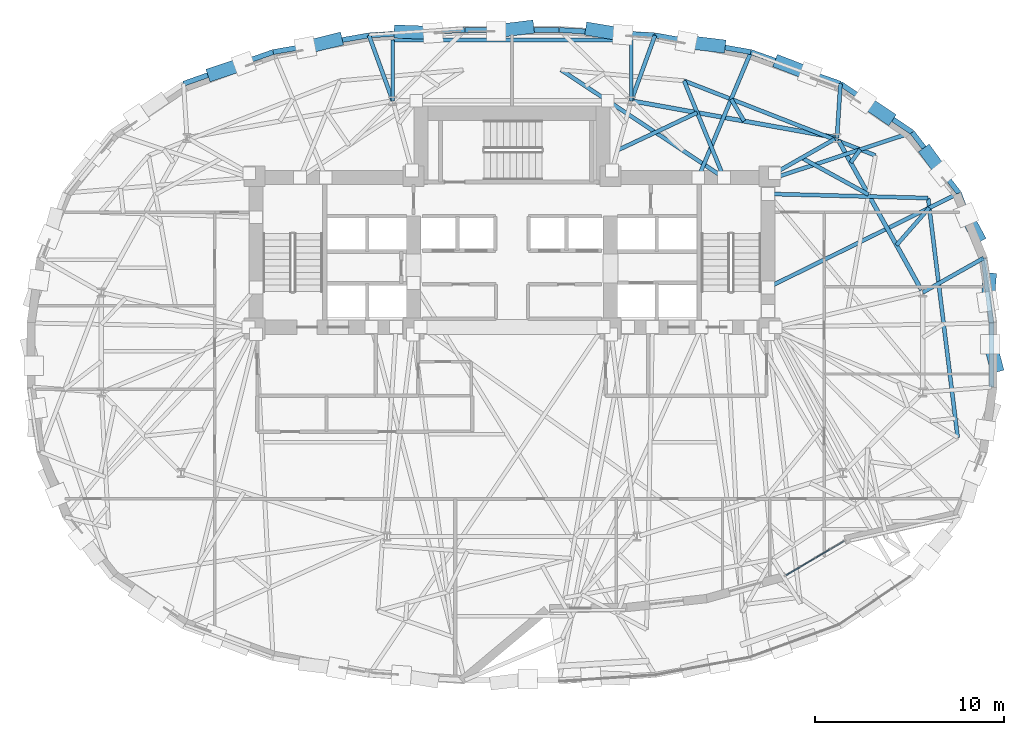
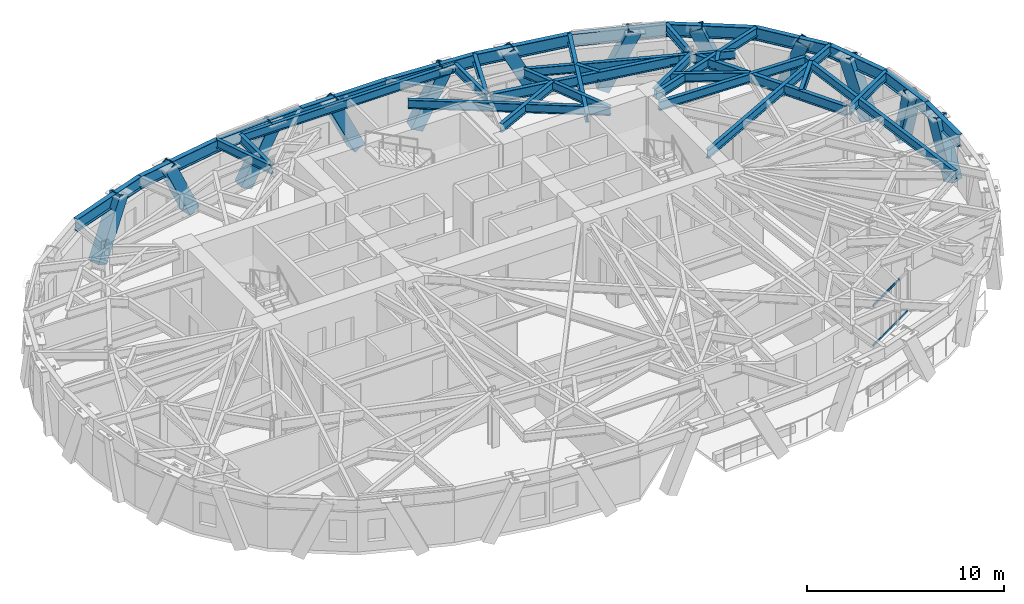
# One storey, part 5 of 14: 35 beams, 19 members, 1 element without a shape of its own.
"""IFC4 building model written with IfcOpenShell, lengths in metres."""

from ifc_helpers import new_model, si_unit, direction, frame, origin, origin_2d, place, context, subcontext, project, spatial, rectangle, hollow_rectangle, i_section, extrude, material, layer, layer_set, material_profile, profile_set, type_object, element, aggregate, save


model = new_model("IFC4")

# Units and contexts
model_context = context("Model", 3, precision=1e-05, world=origin(), true_north=direction((0.0, 1.0)))
body_context = subcontext(model_context, "Body", "Model", "MODEL_VIEW")
ifc_project = project(units=[si_unit("LENGTHUNIT", "METRE"), si_unit("AREAUNIT", "SQUARE_METRE"), si_unit("VOLUMEUNIT", "CUBIC_METRE"), si_unit("PLANEANGLEUNIT", "RADIAN"), si_unit("MASSUNIT", "GRAM", prefix="KILO")], contexts=[model_context])

# Site, building, storey
site_placement = place(None, origin())
site = spatial("IfcSite", under=ifc_project, at=site_placement, CompositionType="ELEMENT")
building_placement = place(site_placement, origin())
building = spatial("IfcBuilding", under=site, at=building_placement, Name="Keldmark Tower", CompositionType="ELEMENT")
storey_placement = place(building_placement, frame((0.0, 0.0, 128.10009765625)))
storey = spatial("IfcBuildingStorey", under=building, at=storey_placement, Name="L34", CompositionType="ELEMENT", Elevation=128.10009765625)

# Curtain wall, members
ifc_material_1 = material(Name="Unitized Thermally Broken Aluminum and Triple Low-E Glazing", Category="aluminium")
ifc_layer = layer(ifc_material_1, 0.219970703125)
ifc_layer_set = layer_set([ifc_layer], Name="Unitized Thermally Broken Aluminum and Triple Low-E Glazing")
curtain_wall_type = type_object("IfcCurtainWallType", Name="Spiralling Sky-Garden Feature Curtain Wall System", PredefinedType="NOTDEFINED", material=ifc_layer_set)
curtain_wall_placement = place(storey_placement, origin())
curtain_wall = element("IfcCurtainWall", 1, at=curtain_wall_placement, inside=storey, type_object=curtain_wall_type, Name="L34 Spiralling Sky-Garden Feature Curtain Wall System CW-L34-28", PredefinedType="NOTDEFINED")
ifc_material_2 = material(Name="Extruded Aluminum Alloy 6063-T6", Category="aluminium")
ifc_material_profile_1 = material_profile(ifc_material_2, rectangle(XDim=0.06005859375, YDim=0.139892578125, at=origin_2d()), Name="CWT60X140")
ifc_profile_set_1 = profile_set([ifc_material_profile_1], Name="Extruded Aluminum Alloy 6063-T6")
member_type_1 = type_object("IfcMemberType", Name="Curtain Wall Horizontal Transom 60x140", PredefinedType="USERDEFINED", material=ifc_profile_set_1)
member_1_placement = place(storey_placement, frame((17.542724609375, -9.830810546875, 0.02978515625), z_axis=(-0.862124032813, -0.506697298243, 0.0), x_axis=(0.506697298243, -0.862124032813, 0.0)))
member_1 = element("IfcMember", 2, at=member_1_placement, type_object=member_type_1, Name="CW transom 1.1", ObjectType="TRANSOM", PredefinedType="USERDEFINED", context=body_context, shape_type="SweptSolid", body=[
    extrude(rectangle(XDim=0.06005859375, YDim=0.139892578125, at=origin_2d()), origin(), (0.0, 0.0, 1.0), 0.826416015625),
])
member_2_placement = place(storey_placement, frame((16.77880859375, -10.27978515625, 0.02978515625), z_axis=(-0.862161334119, -0.506633826299, 0.0), x_axis=(0.506633826299, -0.862161334119, 0.0)))
member_2 = element("IfcMember", 3, at=member_2_placement, type_object=member_type_1, Name="CW transom 2.1", ObjectType="TRANSOM", PredefinedType="USERDEFINED", context=body_context, shape_type="SweptSolid", body=[
    extrude(rectangle(XDim=0.06005859375, YDim=0.139892578125, at=origin_2d()), origin(), (0.0, 0.0, 1.0), 0.856201171875),
])
member_3_placement = place(storey_placement, frame((16.77880859375, -10.27978515625, 2.497802734375), z_axis=(-0.862161334119, -0.506633826299, 0.0), x_axis=(0.506633826299, -0.862161334119, 0.0)))
member_3 = element("IfcMember", 4, at=member_3_placement, type_object=member_type_1, Name="CW transom 2.2", ObjectType="TRANSOM", PredefinedType="USERDEFINED", context=body_context, shape_type="SweptSolid", body=[
    extrude(rectangle(XDim=0.06005859375, YDim=0.139892578125, at=origin_2d()), origin(), (0.0, 0.0, 1.0), 0.856201171875),
])
member_4_placement = place(storey_placement, frame((15.98876953125, -10.744140625, 0.02978515625), z_axis=(-0.862285860494, -0.506421854576, 0.0), x_axis=(0.506421854576, -0.862285860494, 0.0)))
member_4 = element("IfcMember", 5, at=member_4_placement, type_object=member_type_1, Name="CW transom 3.1", ObjectType="TRANSOM", PredefinedType="USERDEFINED", context=body_context, shape_type="SweptSolid", body=[
    extrude(rectangle(XDim=0.06005859375, YDim=0.139892578125, at=origin_2d()), origin(), (0.0, 0.0, 1.0), 0.856201171875),
])
member_5_placement = place(storey_placement, frame((15.98876953125, -10.744140625, 2.497802734375), z_axis=(-0.862285860494, -0.506421854576, 0.0), x_axis=(0.506421854576, -0.862285860494, 0.0)))
member_5 = element("IfcMember", 6, at=member_5_placement, type_object=member_type_1, Name="CW transom 3.2", ObjectType="TRANSOM", PredefinedType="USERDEFINED", context=body_context, shape_type="SweptSolid", body=[
    extrude(rectangle(XDim=0.06005859375, YDim=0.139892578125, at=origin_2d()), origin(), (0.0, 0.0, 1.0), 0.856201171875),
])
member_6_placement = place(storey_placement, frame((15.198974609375, -11.208251953125, 0.02978515625), z_axis=(-0.862253087469, -0.50647765316, 0.0), x_axis=(0.50647765316, -0.862253087469, 0.0)))
member_6 = element("IfcMember", 7, at=member_6_placement, type_object=member_type_1, Name="CW transom 4.1", ObjectType="TRANSOM", PredefinedType="USERDEFINED", context=body_context, shape_type="SweptSolid", body=[
    extrude(rectangle(XDim=0.06005859375, YDim=0.139892578125, at=origin_2d()), origin(), (0.0, 0.0, 1.0), 0.826171875),
])
member_7_placement = place(storey_placement, frame((15.198974609375, -11.208251953125, 2.497802734375), z_axis=(-0.862253087469, -0.50647765316, 0.0), x_axis=(0.50647765316, -0.862253087469, 0.0)))
member_7 = element("IfcMember", 8, at=member_7_placement, type_object=member_type_1, Name="CW transom 4.2", ObjectType="TRANSOM", PredefinedType="USERDEFINED", context=body_context, shape_type="SweptSolid", body=[
    extrude(rectangle(XDim=0.06005859375, YDim=0.139892578125, at=origin_2d()), origin(), (0.0, 0.0, 1.0), 0.826171875),
])
aggregate(curtain_wall, [member_1, member_2, member_3, member_4, member_5, member_6, member_7])

# Members
ifc_material_3 = material(Name="Steel ASTM A572 Grade 50", Category="steel")
ifc_material_profile_2 = material_profile(ifc_material_3, hollow_rectangle(XDim=0.699951171875, YDim=0.699951171875, WallThickness=0.044921875, at=origin_2d()), Name="BOX700X700X45")
ifc_profile_set_2 = profile_set([ifc_material_profile_2], Name="Steel ASTM A572 Grade 50")
member_type_2 = type_object("IfcMemberType", Name="Diagrid Zone 2 Brace BOX700X700X45", PredefinedType="BRACE", material=ifc_profile_set_2)
member_8_placement = place(storey_placement, frame((25.22314453125, 4.007568359375, -0.27001953125), z_axis=(-0.025774881276, -0.322186015947, 0.946325433782), x_axis=(0.996815278536, -0.079745222283, 0.0)))
element("IfcMember", 9, at=member_8_placement, inside=storey, type_object=member_type_2, Name="L34 Perimeter Diagrid Brace 01A", PredefinedType="BRACE", context=body_context, shape_type="SweptSolid", body=[
    extrude(hollow_rectangle(XDim=0.699951171875, YDim=0.699951171875, WallThickness=0.044921875, at=origin_2d()), origin(), (0.0, 0.0, 1.0), 3.65625),
])
member_9_placement = place(storey_placement, frame((24.581298828125, 6.2880859375, -0.27001953125), z_axis=(-0.161957146853, 0.300569119384, 0.939908552496), x_axis=(-0.880333841681, -0.474354642848, 0.0)))
element("IfcMember", 10, at=member_9_placement, inside=storey, type_object=member_type_2, Name="L34 Perimeter Diagrid Brace 01B", PredefinedType="BRACE", context=body_context, shape_type="SweptSolid", body=[
    extrude(hollow_rectangle(XDim=0.699951171875, YDim=0.699951171875, WallThickness=0.044921875, at=origin_2d()), origin(), (0.0, 0.0, 1.0), 3.68115234375),
])
member_10_placement = place(storey_placement, frame((21.943359375, 10.6787109375, -0.27001953125), z_axis=(0.212939819898, -0.291509085954, 0.932565861432), x_axis=(0.80750465938, 0.589861191366, 0.0)))
element("IfcMember", 11, at=member_10_placement, inside=storey, type_object=member_type_2, Name="L34 Perimeter Diagrid Brace 02A", PredefinedType="BRACE", context=body_context, shape_type="SweptSolid", body=[
    extrude(hollow_rectangle(XDim=0.699951171875, YDim=0.699951171875, WallThickness=0.044921875, at=origin_2d()), origin(), (0.0, 0.0, 1.0), 3.710205078125),
])
member_11_placement = place(storey_placement, frame((19.8369140625, 12.5859375, -0.27001953125), z_axis=(-0.335578451771, 0.225676508816, 0.91458034971), x_axis=(-0.55804685071, -0.829809443434, 0.0)))
element("IfcMember", 12, at=member_11_placement, inside=storey, type_object=member_type_2, Name="L34 Perimeter Diagrid Brace 02B", PredefinedType="BRACE", context=body_context, shape_type="SweptSolid", body=[
    extrude(hollow_rectangle(XDim=0.699951171875, YDim=0.699951171875, WallThickness=0.044921875, at=origin_2d()), origin(), (0.0, 0.0, 1.0), 3.783203125),
])
member_12_placement = place(storey_placement, frame((14.190185546875, 15.443115234375, -0.27001953125), z_axis=(0.402741306948, -0.15573767037, 0.901967414991), x_axis=(0.360667417786, 0.93269449111, 0.0)))
element("IfcMember", 13, at=member_12_placement, inside=storey, type_object=member_type_2, Name="L34 Perimeter Diagrid Brace 03A", PredefinedType="BRACE", context=body_context, shape_type="SweptSolid", body=[
    extrude(hollow_rectangle(XDim=0.699951171875, YDim=0.699951171875, WallThickness=0.044921875, at=origin_2d()), origin(), (0.0, 0.0, 1.0), 3.8359375),
])
member_13_placement = place(storey_placement, frame((10.9541015625, 16.332275390625, -0.27001953125), z_axis=(-0.448318018377, 0.054206124677, 0.892229034747), x_axis=(-0.120035753301, -0.992769569401, 0.0)))
element("IfcMember", 14, at=member_13_placement, inside=storey, type_object=member_type_2, Name="L34 Perimeter Diagrid Brace 03B", PredefinedType="BRACE", context=body_context, shape_type="SweptSolid", body=[
    extrude(hollow_rectangle(XDim=0.699951171875, YDim=0.699951171875, WallThickness=0.044921875, at=origin_2d()), origin(), (0.0, 0.0, 1.0), 3.8779296875),
])
member_14_placement = place(storey_placement, frame((4.204345703125, 17.201171875, -0.27001953125), z_axis=(0.428752099282, -0.07149045675, 0.900589113833), x_axis=(0.164470109087, 0.986382067567, 0.0)))
element("IfcMember", 15, at=member_14_placement, inside=storey, type_object=member_type_2, Name="L34 Perimeter Diagrid Brace 04A", PredefinedType="BRACE", context=body_context, shape_type="SweptSolid", body=[
    extrude(hollow_rectangle(XDim=0.699951171875, YDim=0.699951171875, WallThickness=0.044921875, at=origin_2d()), origin(), (0.0, 0.0, 1.0), 3.841796875),
])
member_15_placement = place(storey_placement, frame((0.83544921875, 17.3154296875, -0.27001953125), z_axis=(-0.434682488412, -0.05246386718, 0.899054323669), x_axis=(0.11982508471, -0.992795018659, 0.0)))
element("IfcMember", 16, at=member_15_placement, inside=storey, type_object=member_type_2, Name="L34 Perimeter Diagrid Brace 04B", PredefinedType="BRACE", context=body_context, shape_type="SweptSolid", body=[
    extrude(hollow_rectangle(XDim=0.699951171875, YDim=0.699951171875, WallThickness=0.044921875, at=origin_2d()), origin(), (0.0, 0.0, 1.0), 3.848388671875),
])
member_16_placement = place(storey_placement, frame((-5.91357421875, 17.082275390625, -0.27001953125), z_axis=(0.448766776321, -0.016392155359, 0.893498560554), x_axis=(0.036502770928, 0.999333551781, 0.0)))
element("IfcMember", 17, at=member_16_placement, inside=storey, type_object=member_type_2, Name="L34 Perimeter Diagrid Brace 05A", PredefinedType="BRACE", context=body_context, shape_type="SweptSolid", body=[
    extrude(hollow_rectangle(XDim=0.699951171875, YDim=0.699951171875, WallThickness=0.044921875, at=origin_2d()), origin(), (0.0, 0.0, 1.0), 3.872314453125),
])
member_17_placement = place(storey_placement, frame((-9.282470703125, 16.64794921875, -0.27001953125), z_axis=(-0.424162495439, -0.104977520194, 0.899480904587), x_axis=(0.240245110564, -0.970712257495, 0.0)))
element("IfcMember", 18, at=member_17_placement, inside=storey, type_object=member_type_2, Name="L34 Perimeter Diagrid Brace 05B", PredefinedType="BRACE", context=body_context, shape_type="SweptSolid", body=[
    extrude(hollow_rectangle(XDim=0.699951171875, YDim=0.699951171875, WallThickness=0.044921875, at=origin_2d()), origin(), (0.0, 0.0, 1.0), 3.8466796875),
])
member_18_placement = place(storey_placement, frame((-15.763427734375, 14.86083984375, -0.27001953125), z_axis=(0.414660177655, 0.139341048222, 0.899244688251), x_axis=(-0.318533150805, 0.947911721543, 0.0)))
element("IfcMember", 19, at=member_18_placement, inside=storey, type_object=member_type_2, Name="L34 Perimeter Diagrid Brace 06A", PredefinedType="BRACE", context=body_context, shape_type="SweptSolid", body=[
    extrude(hollow_rectangle(XDim=0.699951171875, YDim=0.699951171875, WallThickness=0.044921875, at=origin_2d()), origin(), (0.0, 0.0, 1.0), 3.84765625),
])
member_19_placement = place(storey_placement, frame((25.56689453125, -0.564453125, -0.27001953125), z_axis=(-0.081730206424, 0.31041439807, 0.947081345413), x_axis=(-0.967042168317, -0.254616269505, 0.0)))
element("IfcMember", 20, at=member_19_placement, inside=storey, type_object=member_type_2, Name="L34 Perimeter Diagrid Brace 16B", PredefinedType="BRACE", context=body_context, shape_type="SweptSolid", body=[
    extrude(hollow_rectangle(XDim=0.699951171875, YDim=0.699951171875, WallThickness=0.044921875, at=origin_2d()), origin(), (0.0, 0.0, 1.0), 3.6533203125),
])

# Beams
ifc_material_4 = material(Name="Steel ASTM A992 Grade 50", Category="steel")
ifc_material_profile_3 = material_profile(ifc_material_4, i_section(OverallWidth=0.22900390625, OverallDepth=0.612060546875, WebThickness=0.011962890625, FlangeThickness=0.01953125, at=origin_2d()), Name="W24X84")
ifc_profile_set_3 = profile_set([ifc_material_profile_3], Name="Steel ASTM A992 Grade 50")
beam_type_1 = type_object("IfcBeamType", Name="Primary Floor Girder W24X84", PredefinedType="BEAM", material=ifc_profile_set_3)
beam_1_placement = place(storey_placement, frame((21.62890625, 3.432373046875, 3.00390625), z_axis=(-0.484951836703, 0.874540860154, 0.0), x_axis=(-0.874540860154, -0.484951836703, 0.0)))
element("IfcBeam", 21, at=beam_1_placement, inside=storey, type_object=beam_type_1, Name="L34 Floor Ring Girder FG-R01", PredefinedType="BEAM", context=body_context, shape_type="SweptSolid", body=[
    extrude(i_section(OverallWidth=0.22900390625, OverallDepth=0.612060546875, WebThickness=0.011962890625, FlangeThickness=0.01953125, at=origin_2d()), origin(), (0.0, 0.0, 1.0), 9.060302734375),
])
beam_2_placement = place(storey_placement, frame((17.029296875, 11.503173828125, 3.00390625), z_axis=(-0.984218266992, 0.176958760505, 0.0), x_axis=(-0.176958760505, -0.984218266992, 0.0)))
element("IfcBeam", 22, at=beam_2_placement, inside=storey, type_object=beam_type_1, Name="L34 Floor Ring Girder FG-R02", PredefinedType="BEAM", context=body_context, shape_type="SweptSolid", body=[
    extrude(i_section(OverallWidth=0.22900390625, OverallDepth=0.612060546875, WebThickness=0.011962890625, FlangeThickness=0.01953125, at=origin_2d()), origin(), (0.0, 0.0, 1.0), 10.7626953125),
])
ifc_material_5 = material(Name="Steel ASTM A992 Grade 50", Category="steel")
ifc_material_profile_4 = material_profile(ifc_material_5, i_section(OverallWidth=0.2099609375, OverallDepth=0.537109375, WebThickness=0.010986328125, FlangeThickness=0.017333984375, at=origin_2d()), Name="W21X68")
ifc_profile_set_4 = profile_set([ifc_material_profile_4], Name="Steel ASTM A992 Grade 50")
beam_type_2 = type_object("IfcBeamType", Name="Radial Tie Girder W21X68", PredefinedType="BEAM", material=ifc_profile_set_4)
beam_3_placement = place(storey_placement, frame((17.04541015625, 11.4091796875, 3.04150390625), z_axis=(-0.86928447329, -0.494312152892, 0.0), x_axis=(0.494312152892, -0.86928447329, 0.0)))
element("IfcBeam", 23, at=beam_3_placement, inside=storey, type_object=beam_type_2, Name="L34 Floor Radial Girder FG-C02", PredefinedType="BEAM", context=body_context, shape_type="SweptSolid", body=[
    extrude(i_section(OverallWidth=0.2099609375, OverallDepth=0.537109375, WebThickness=0.010986328125, FlangeThickness=0.017333984375, at=origin_2d()), origin(), (0.0, 0.0, 1.0), 3.6435546875),
])
beam_4_placement = place(storey_placement, frame((15.303466796875, 10.418701171875, 3.04150390625), z_axis=(0.876409320531, -0.481566924618, 0.0), x_axis=(0.481566924618, 0.876409320531, 0.0)))
element("IfcBeam", 24, at=beam_4_placement, inside=storey, type_object=beam_type_2, Name="L34 Framing Pin Header PH-001", PredefinedType="BEAM", context=body_context, shape_type="SweptSolid", body=[
    extrude(i_section(OverallWidth=0.2099609375, OverallDepth=0.537109375, WebThickness=0.010986328125, FlangeThickness=0.017333984375, at=origin_2d()), origin(), (0.0, 0.0, 1.0), 4.022705078125),
])
beam_5_placement = place(storey_placement, frame((5.578125, 10.8203125, 3.04150390625), z_axis=(0.904220488167, 0.427065930249, 0.0), x_axis=(-0.427065930249, 0.904220488167, 0.0)))
element("IfcBeam", 25, at=beam_5_placement, inside=storey, type_object=beam_type_2, Name="L34 Framing Pin Header PH-002", PredefinedType="BEAM", context=body_context, shape_type="SweptSolid", body=[
    extrude(i_section(OverallWidth=0.2099609375, OverallDepth=0.537109375, WebThickness=0.010986328125, FlangeThickness=0.017333984375, at=origin_2d()), origin(), (0.0, 0.0, 1.0), 4.64990234375),
])
beam_6_placement = place(storey_placement, frame((11.19287109375, 9.375, 3.04150390625), z_axis=(-0.380156934952, 0.92492199931, 0.0), x_axis=(-0.92492199931, -0.380156934952, 0.0)))
element("IfcBeam", 26, at=beam_6_placement, inside=storey, type_object=beam_type_2, Name="L34 Sub-Ring Step Girder STP1-M02", PredefinedType="BEAM", context=body_context, shape_type="SweptSolid", body=[
    extrude(i_section(OverallWidth=0.2099609375, OverallDepth=0.537109375, WebThickness=0.010986328125, FlangeThickness=0.017333984375, at=origin_2d()), origin(), (0.0, 0.0, 1.0), 5.53076171875),
])
beam_7_placement = place(storey_placement, frame((11.19287109375, 9.375, 3.04150390625), z_axis=(-0.834094767098, 0.551621173904, 0.0), x_axis=(-0.551621173904, -0.834094767098, 0.0)))
element("IfcBeam", 27, at=beam_7_placement, inside=storey, type_object=beam_type_2, Name="L34 Sub-Ring Step Girder STP1-M03", PredefinedType="BEAM", context=body_context, shape_type="SweptSolid", body=[
    extrude(i_section(OverallWidth=0.2099609375, OverallDepth=0.537109375, WebThickness=0.010986328125, FlangeThickness=0.017333984375, at=origin_2d()), origin(), (0.0, 0.0, 1.0), 10.314453125),
])
beam_8_placement = place(storey_placement, frame((19.1982421875, 10.544189453125, 3.04150390625), z_axis=(-0.931523340879, 0.363681543934, 0.0), x_axis=(-0.363681543934, -0.931523340879, 0.0)))
element("IfcBeam", 28, at=beam_8_placement, inside=storey, type_object=beam_type_2, Name="L34 Perimeter Collector Ring Beam CRG1-M01", PredefinedType="BEAM", context=body_context, shape_type="SweptSolid", body=[
    extrude(i_section(OverallWidth=0.2099609375, OverallDepth=0.537109375, WebThickness=0.010986328125, FlangeThickness=0.017333984375, at=origin_2d()), origin(), (0.0, 0.0, 1.0), 10.850830078125),
])
beam_9_placement = place(storey_placement, frame((13.52490234375, 8.514404296875, 3.04150390625), z_axis=(0.999660340588, -0.026061532106, 0.0), x_axis=(0.026061532106, 0.999660340588, 0.0)))
element("IfcBeam", 29, at=beam_9_placement, inside=storey, type_object=beam_type_2, Name="L34 Sub-Ring Step Girder STP2-M01", PredefinedType="BEAM", context=body_context, shape_type="SweptSolid", body=[
    extrude(i_section(OverallWidth=0.2099609375, OverallDepth=0.537109375, WebThickness=0.010986328125, FlangeThickness=0.017333984375, at=origin_2d()), origin(), (0.0, 0.0, 1.0), 8.459228515625),
])
beam_10_placement = place(storey_placement, frame((23.542724609375, -4.351806640625, 3.04150390625), z_axis=(-0.122551269909, 0.992462183785, 0.0), x_axis=(-0.992462183785, -0.122551269909, 0.0)))
element("IfcBeam", 30, at=beam_10_placement, inside=storey, type_object=beam_type_2, Name="L34 Perimeter Collector Ring Beam CRG2-M12", PredefinedType="BEAM", context=body_context, shape_type="SweptSolid", body=[
    extrude(i_section(OverallWidth=0.2099609375, OverallDepth=0.537109375, WebThickness=0.010986328125, FlangeThickness=0.017333984375, at=origin_2d()), origin(), (0.0, 0.0, 1.0), 12.74169921875),
])
beam_11_placement = place(storey_placement, frame((21.697021484375, 3.309814453125, 3.04150390625), z_axis=(0.870805571728, 0.49162755847, 0.0), x_axis=(-0.49162755847, 0.870805571728, 0.0)))
element("IfcBeam", 31, at=beam_11_placement, inside=storey, type_object=beam_type_2, Name="L34 Perimeter Column Bracket RT-02", PredefinedType="BEAM", context=body_context, shape_type="SweptSolid", body=[
    extrude(i_section(OverallWidth=0.2099609375, OverallDepth=0.537109375, WebThickness=0.010986328125, FlangeThickness=0.017333984375, at=origin_2d()), origin(), (0.0, 0.0, 1.0), 3.688720703125),
])
beam_12_placement = place(storey_placement, frame((20.310791015625, 5.809326171875, 3.04150390625), z_axis=(0.659996998697, 0.751268235526, 0.0), x_axis=(-0.751268235526, 0.659996998697, 0.0)))
element("IfcBeam", 32, at=beam_12_placement, inside=storey, type_object=beam_type_2, Name="L34 Framing Pin Header PH-011", PredefinedType="BEAM", context=body_context, shape_type="SweptSolid", body=[
    extrude(i_section(OverallWidth=0.2099609375, OverallDepth=0.537109375, WebThickness=0.010986328125, FlangeThickness=0.017333984375, at=origin_2d()), origin(), (0.0, 0.0, 1.0), 2.626708984375),
])
beam_13_placement = place(storey_placement, frame((13.52490234375, 3.5712890625, 3.04150390625), z_axis=(0.896449428903, 0.443146049761, 0.0), x_axis=(-0.443146049761, 0.896449428903, 0.0)))
element("IfcBeam", 33, at=beam_13_placement, inside=storey, type_object=beam_type_2, Name="L34 Perimeter Radial Tie Girder RT-03", PredefinedType="BEAM", context=body_context, shape_type="SweptSolid", body=[
    extrude(i_section(OverallWidth=0.2099609375, OverallDepth=0.537109375, WebThickness=0.010986328125, FlangeThickness=0.017333984375, at=origin_2d()), origin(), (0.0, 0.0, 1.0), 11.248779296875),
])
beam_14_placement = place(storey_placement, frame((17.89404296875, 10.16748046875, 3.04150390625), z_axis=(0.587098903386, 0.809515211495, 0.0), x_axis=(-0.809515211495, 0.587098903386, 0.0)))
element("IfcBeam", 34, at=beam_14_placement, inside=storey, type_object=beam_type_2, Name="L34 Framing Pin Header PH-012", PredefinedType="BEAM", context=body_context, shape_type="SweptSolid", body=[
    extrude(i_section(OverallWidth=0.2099609375, OverallDepth=0.537109375, WebThickness=0.010986328125, FlangeThickness=0.017333984375, at=origin_2d()), origin(), (0.0, 0.0, 1.0), 0.852783203125),
])
beam_15_placement = place(storey_placement, frame((13.89990234375, 9.375, 3.04150390625), z_axis=(0.949658467543, 0.313287080844, 0.0), x_axis=(-0.313287080844, 0.949658467543, 0.0)))
element("IfcBeam", 35, at=beam_15_placement, inside=storey, type_object=beam_type_2, Name="L34 Perimeter Radial Tie Girder RT-04", PredefinedType="BEAM", context=body_context, shape_type="SweptSolid", body=[
    extrude(i_section(OverallWidth=0.2099609375, OverallDepth=0.537109375, WebThickness=0.010986328125, FlangeThickness=0.017333984375, at=origin_2d()), origin(), (0.0, 0.0, 1.0), 7.625244140625),
])
beam_16_placement = place(storey_placement, frame((17.1669921875, 11.478271484375, 3.04150390625), z_axis=(0.06397671116, 0.997951391817, 0.0), x_axis=(-0.997951391817, 0.06397671116, 0.0)))
element("IfcBeam", 36, at=beam_16_placement, inside=storey, type_object=beam_type_2, Name="L34 Perimeter Column Bracket RT-05", PredefinedType="BEAM", context=body_context, shape_type="SweptSolid", body=[
    extrude(i_section(OverallWidth=0.2099609375, OverallDepth=0.537109375, WebThickness=0.010986328125, FlangeThickness=0.017333984375, at=origin_2d()), origin(), (0.0, 0.0, 1.0), 2.862060546875),
])
beam_17_placement = place(storey_placement, frame((12.2626953125, 12.360107421875, 3.04150390625), z_axis=(-0.509290771818, 0.860594509476, 0.0), x_axis=(-0.860594509476, -0.509290771818, 0.0)))
element("IfcBeam", 37, at=beam_17_placement, inside=storey, type_object=beam_type_2, Name="L34 Framing Pin Header PH-013", PredefinedType="BEAM", context=body_context, shape_type="SweptSolid", body=[
    extrude(i_section(OverallWidth=0.2099609375, OverallDepth=0.537109375, WebThickness=0.010986328125, FlangeThickness=0.017333984375, at=origin_2d()), origin(), (0.0, 0.0, 1.0), 1.347412109375),
])
beam_18_placement = place(storey_placement, frame((9.83935546875, 9.375, 3.04150390625), z_axis=(0.38653574613, 0.92227442606, 0.0), x_axis=(-0.92227442606, 0.38653574613, 0.0)))
element("IfcBeam", 38, at=beam_18_placement, inside=storey, type_object=beam_type_2, Name="L34 Perimeter Radial Tie Girder RT-06", PredefinedType="BEAM", context=body_context, shape_type="SweptSolid", body=[
    extrude(i_section(OverallWidth=0.2099609375, OverallDepth=0.537109375, WebThickness=0.010986328125, FlangeThickness=0.017333984375, at=origin_2d()), origin(), (0.0, 0.0, 1.0), 7.191650390625),
])
for number, where, z_axis, x_axis, name in (
    (39, (6.298828125, 13.4326171875, 3.04150390625), (0.341838992311, 0.939758534591, 0.0), (-0.939758534591, 0.341838992311, 0.0), "L34 Perimeter Column Bracket RT-07"),
    (40, (-6.298828125, 13.4326171875, 3.04150390625), (-0.341838992311, 0.939758534591, 0.0), (-0.939758534591, -0.341838992311, 0.0), "L34 Perimeter Column Bracket RT-10"),
):
    element("IfcBeam", number, at=place(storey_placement, frame(where, z_axis=z_axis, x_axis=x_axis)), inside=storey, type_object=beam_type_2, Name=name, PredefinedType="BEAM", context=body_context, shape_type="SweptSolid", body=[
        extrude(i_section(OverallWidth=0.2099609375, OverallDepth=0.537109375, WebThickness=0.010986328125, FlangeThickness=0.017333984375, at=origin_2d()), origin(), (0.0, 0.0, 1.0), 3.67822265625),
    ])
for number, where, z_axis, x_axis, name in (
    (41, (-6.298828125, 13.4326171875, 3.04150390625), (0.0, 1.0, 0.0), (-1.0, 0.0, 0.0), "L34 North Column Cantilever Girder West FG-TCN-W"),
    (42, (6.298828125, 13.4326171875, 3.04150390625), (0.0, 1.0, 0.0), (-1.0, 0.0, 0.0), "L34 North Column Cantilever Girder East FG-TCN-E"),
):
    element("IfcBeam", number, at=place(storey_placement, frame(where, z_axis=z_axis, x_axis=x_axis)), inside=storey, type_object=beam_type_2, Name=name, PredefinedType="BEAM", context=body_context, shape_type="SweptSolid", body=[
        extrude(i_section(OverallWidth=0.2099609375, OverallDepth=0.537109375, WebThickness=0.010986328125, FlangeThickness=0.017333984375, at=origin_2d()), origin(), (0.0, 0.0, 1.0), 3.220703125),
    ])
beam_19_placement = place(storey_placement, frame((-6.298828125, 16.6533203125, 3.04150390625), z_axis=(1.0, 0.0, 0.0), x_axis=(0.0, 1.0, 0.0)))
element("IfcBeam", 43, at=beam_19_placement, inside=storey, type_object=beam_type_2, Name="L34 North Outer Header Girder FG-TCN-H1", PredefinedType="BEAM", context=body_context, shape_type="SweptSolid", body=[
    extrude(i_section(OverallWidth=0.2099609375, OverallDepth=0.537109375, WebThickness=0.010986328125, FlangeThickness=0.017333984375, at=origin_2d()), origin(), (0.0, 0.0, 1.0), 12.59765625),
])
ifc_material_6 = material(Name="Steel ASTM A992 Grade 50", Category="steel")
ifc_material_profile_5 = material_profile(ifc_material_6, i_section(OverallWidth=0.26806640625, OverallDepth=0.77001953125, WebThickness=0.015625, FlangeThickness=0.025390625, at=origin_2d()), Name="W30X132")
ifc_profile_set_5 = profile_set([ifc_material_profile_5], Name="Steel ASTM A992 Grade 50")
beam_type_3 = type_object("IfcBeamType", Name="Spandrel Ring Beam W30X132", PredefinedType="SPANDREL", material=ifc_profile_set_5)
beam_20_placement = place(storey_placement, frame((25.328125, 1.69140625, 2.9248046875), z_axis=(-0.121174866484, 0.992631176083, 0.0), x_axis=(-0.992631176083, -0.121174866484, 0.0)))
element("IfcBeam", 44, at=beam_20_placement, inside=storey, type_object=beam_type_3, Name="L34 Perimeter Spandrel Ring Beam SRB-01", PredefinedType="SPANDREL", context=body_context, shape_type="SweptSolid", body=[
    extrude(i_section(OverallWidth=0.26806640625, OverallDepth=0.77001953125, WebThickness=0.015625, FlangeThickness=0.025390625, at=origin_2d()), origin(), (0.0, 0.0, 1.0), 3.457275390625),
])
beam_21_placement = place(storey_placement, frame((24.9091796875, 5.123291015625, 2.9248046875), z_axis=(-0.354219131363, 0.935162449511, 0.0), x_axis=(-0.935162449511, -0.354219131363, 0.0)))
element("IfcBeam", 45, at=beam_21_placement, inside=storey, type_object=beam_type_3, Name="L34 Perimeter Spandrel Ring Beam SRB-02", PredefinedType="SPANDREL", context=body_context, shape_type="SweptSolid", body=[
    extrude(i_section(OverallWidth=0.26806640625, OverallDepth=0.77001953125, WebThickness=0.015625, FlangeThickness=0.025390625, at=origin_2d()), origin(), (0.0, 0.0, 1.0), 3.6708984375),
])
beam_22_placement = place(storey_placement, frame((23.60888671875, 8.55615234375, 2.9248046875), z_axis=(-0.609713676223, 0.792621746501, 0.0), x_axis=(-0.792621746501, -0.609713676223, 0.0)))
element("IfcBeam", 46, at=beam_22_placement, inside=storey, type_object=beam_type_3, Name="L34 Perimeter Spandrel Ring Beam SRB-03", PredefinedType="SPANDREL", context=body_context, shape_type="SweptSolid", body=[
    extrude(i_section(OverallWidth=0.26806640625, OverallDepth=0.77001953125, WebThickness=0.015625, FlangeThickness=0.025390625, at=origin_2d()), origin(), (0.0, 0.0, 1.0), 4.047119140625),
])
beam_23_placement = place(storey_placement, frame((21.141357421875, 11.763916015625, 2.9248046875), z_axis=(-0.827687098101, 0.561189867725, 0.0), x_axis=(-0.561189867725, -0.827687098101, 0.0)))
element("IfcBeam", 47, at=beam_23_placement, inside=storey, type_object=beam_type_3, Name="L34 Perimeter Spandrel Ring Beam SRB-04", PredefinedType="SPANDREL", context=body_context, shape_type="SweptSolid", body=[
    extrude(i_section(OverallWidth=0.26806640625, OverallDepth=0.77001953125, WebThickness=0.015625, FlangeThickness=0.025390625, at=origin_2d()), origin(), (0.0, 0.0, 1.0), 4.58056640625),
])
beam_24_placement = place(storey_placement, frame((17.35009765625, 14.33447265625, 2.9248046875), z_axis=(-0.942780868171, 0.333413009061, 0.0), x_axis=(-0.333413009061, -0.942780868171, 0.0)))
element("IfcBeam", 48, at=beam_24_placement, inside=storey, type_object=beam_type_3, Name="L34 Perimeter Spandrel Ring Beam SRB-05", PredefinedType="SPANDREL", context=body_context, shape_type="SweptSolid", body=[
    extrude(i_section(OverallWidth=0.26806640625, OverallDepth=0.77001953125, WebThickness=0.015625, FlangeThickness=0.025390625, at=origin_2d()), origin(), (0.0, 0.0, 1.0), 5.01806640625),
])
beam_25_placement = place(storey_placement, frame((12.619140625, 16.007568359375, 2.9248046875), z_axis=(-0.985176518658, 0.171543659411, 0.0), x_axis=(-0.171543659411, -0.985176518658, 0.0)))
element("IfcBeam", 49, at=beam_25_placement, inside=storey, type_object=beam_type_3, Name="L34 Perimeter Spandrel Ring Beam SRB-06", PredefinedType="SPANDREL", context=body_context, shape_type="SweptSolid", body=[
    extrude(i_section(OverallWidth=0.26806640625, OverallDepth=0.77001953125, WebThickness=0.015625, FlangeThickness=0.025390625, at=origin_2d()), origin(), (0.0, 0.0, 1.0), 5.13916015625),
])
beam_26_placement = place(storey_placement, frame((7.55615234375, 16.88916015625, 2.9248046875), z_axis=(-0.998430275228, 0.05600879848, 0.0), x_axis=(-0.05600879848, -0.998430275228, 0.0)))
element("IfcBeam", 50, at=beam_26_placement, inside=storey, type_object=beam_type_3, Name="L34 Perimeter Spandrel Ring Beam SRB-07", PredefinedType="SPANDREL", context=body_context, shape_type="SweptSolid", body=[
    extrude(i_section(OverallWidth=0.26806640625, OverallDepth=0.77001953125, WebThickness=0.015625, FlangeThickness=0.025390625, at=origin_2d()), origin(), (0.0, 0.0, 1.0), 5.069580078125),
])
beam_27_placement = place(storey_placement, frame((2.49462890625, 17.173095703125, 2.9248046875), z_axis=(-1.0, 0.0, 0.0), x_axis=(0.0, -1.0, 0.0)))
element("IfcBeam", 51, at=beam_27_placement, inside=storey, type_object=beam_type_3, Name="L34 Perimeter Spandrel Ring Beam SRB-08", PredefinedType="SPANDREL", context=body_context, shape_type="SweptSolid", body=[
    extrude(i_section(OverallWidth=0.26806640625, OverallDepth=0.77001953125, WebThickness=0.015625, FlangeThickness=0.025390625, at=origin_2d()), origin(), (0.0, 0.0, 1.0), 4.9892578125),
])
beam_28_placement = place(storey_placement, frame((-2.49462890625, 17.173095703125, 2.9248046875), z_axis=(-0.998430275228, -0.05600879848, 0.0), x_axis=(0.05600879848, -0.998430275228, 0.0)))
element("IfcBeam", 52, at=beam_28_placement, inside=storey, type_object=beam_type_3, Name="L34 Perimeter Spandrel Ring Beam SRB-09", PredefinedType="SPANDREL", context=body_context, shape_type="SweptSolid", body=[
    extrude(i_section(OverallWidth=0.26806640625, OverallDepth=0.77001953125, WebThickness=0.015625, FlangeThickness=0.025390625, at=origin_2d()), origin(), (0.0, 0.0, 1.0), 5.069580078125),
])
beam_29_placement = place(storey_placement, frame((-7.55615234375, 16.88916015625, 2.9248046875), z_axis=(-0.985176518658, -0.171543659411, 0.0), x_axis=(0.171543659411, -0.985176518658, 0.0)))
element("IfcBeam", 53, at=beam_29_placement, inside=storey, type_object=beam_type_3, Name="L34 Perimeter Spandrel Ring Beam SRB-10", PredefinedType="SPANDREL", context=body_context, shape_type="SweptSolid", body=[
    extrude(i_section(OverallWidth=0.26806640625, OverallDepth=0.77001953125, WebThickness=0.015625, FlangeThickness=0.025390625, at=origin_2d()), origin(), (0.0, 0.0, 1.0), 5.13916015625),
])
beam_30_placement = place(storey_placement, frame((-12.619140625, 16.007568359375, 2.9248046875), z_axis=(-0.942780868171, -0.333413009061, 0.0), x_axis=(0.333413009061, -0.942780868171, 0.0)))
element("IfcBeam", 54, at=beam_30_placement, inside=storey, type_object=beam_type_3, Name="L34 Perimeter Spandrel Ring Beam SRB-11", PredefinedType="SPANDREL", context=body_context, shape_type="SweptSolid", body=[
    extrude(i_section(OverallWidth=0.26806640625, OverallDepth=0.77001953125, WebThickness=0.015625, FlangeThickness=0.025390625, at=origin_2d()), origin(), (0.0, 0.0, 1.0), 5.01806640625),
])
beam_31_placement = place(storey_placement, frame((25.328125, -1.69140625, 2.9248046875), z_axis=(0.0, 1.0, 0.0), x_axis=(-1.0, 0.0, 0.0)))
element("IfcBeam", 55, at=beam_31_placement, inside=storey, type_object=beam_type_3, Name="L34 Perimeter Spandrel Ring Beam SRB-32", PredefinedType="SPANDREL", context=body_context, shape_type="SweptSolid", body=[
    extrude(i_section(OverallWidth=0.26806640625, OverallDepth=0.77001953125, WebThickness=0.015625, FlangeThickness=0.025390625, at=origin_2d()), origin(), (0.0, 0.0, 1.0), 3.3828125),
])

save(model, "model.ifc")
